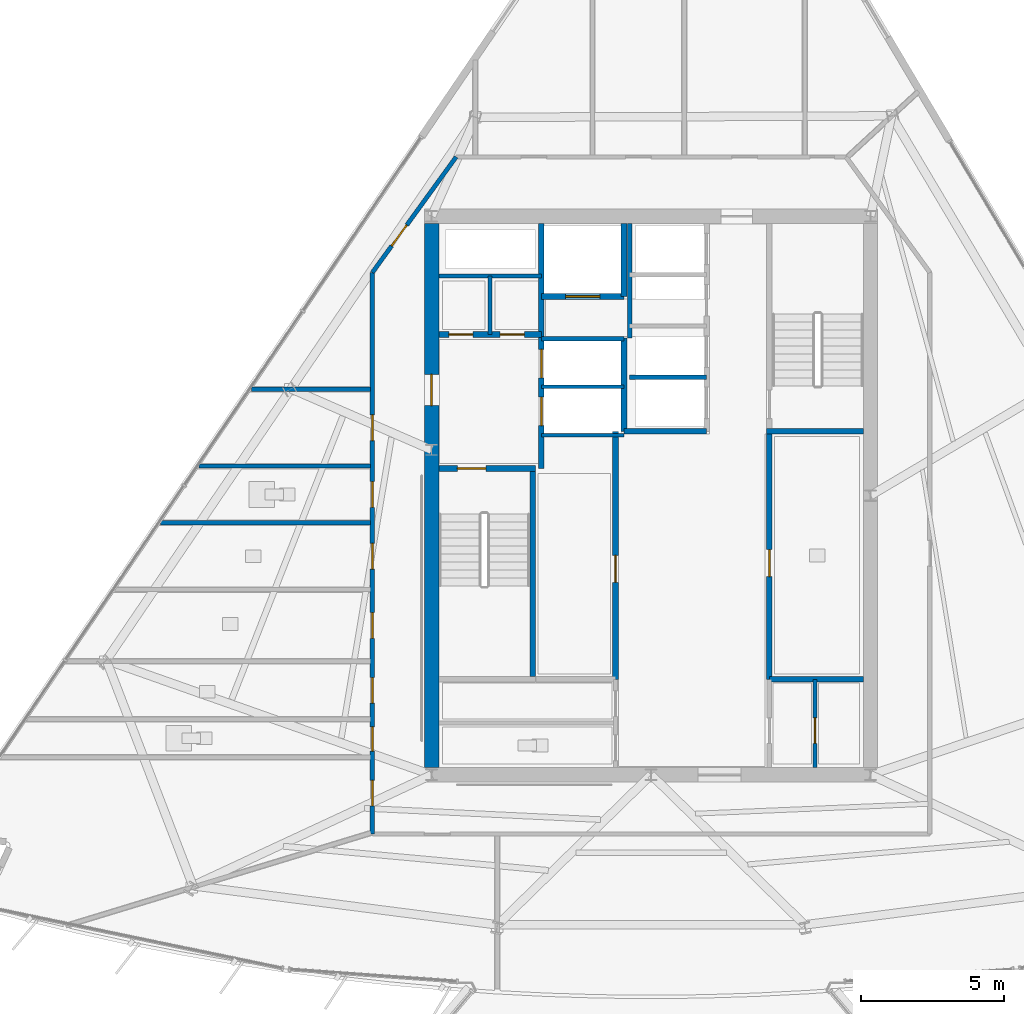
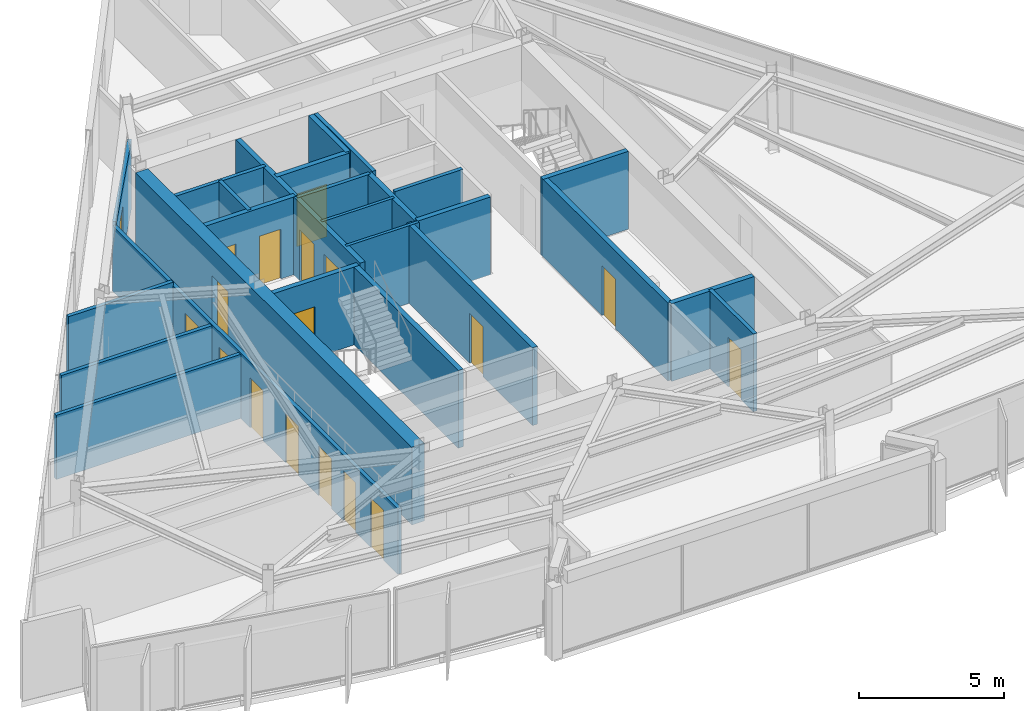
# One storey, part 8 of 14: 26 walls, 18 doors, 18 openings.
"""IFC4 building model written with IfcOpenShell, lengths in metres."""

from ifc_helpers import new_model, si_unit, direction, frame, frame_2d, origin, place, context, subcontext, project, spatial, rectangle, extrude, material, layer, layer_set, type_object, element, fill, save


model = new_model("IFC4")

# Units and contexts
model_context = context("Model", 3, precision=1e-05, world=origin(), true_north=direction((0.0, 1.0)))
body_context = subcontext(model_context, "Body", "Model", "MODEL_VIEW")
ifc_project = project(units=[si_unit("LENGTHUNIT", "METRE"), si_unit("AREAUNIT", "SQUARE_METRE"), si_unit("VOLUMEUNIT", "CUBIC_METRE"), si_unit("PLANEANGLEUNIT", "RADIAN"), si_unit("MASSUNIT", "GRAM", prefix="KILO")], contexts=[model_context])

# Site, building, storey
site_placement = place(None, origin())
site = spatial("IfcSite", under=ifc_project, at=site_placement, CompositionType="ELEMENT")
building_placement = place(site_placement, origin())
building = spatial("IfcBuilding", under=site, at=building_placement, Name="Savorim Split Tower", CompositionType="ELEMENT")
storey_placement = place(building_placement, frame((0.0, 0.0, 237.89990234375)))
storey = spatial("IfcBuildingStorey", under=building, at=storey_placement, Name="L63", CompositionType="ELEMENT", Elevation=237.89990234375)

# Wall, opening, door
ifc_material_1 = material(Name="Concrete C60/75", Category="concrete")
ifc_layer_1 = layer(ifc_material_1, 0.5)
ifc_layer_set_1 = layer_set([ifc_layer_1], Name="WAL-COR-SH500")
wall_type_1 = type_object("IfcWallType", Name="WAL-COR-SH500", PredefinedType="SHEAR", material=ifc_layer_set_1)
wall_1_placement = place(storey_placement, frame((-7.699951171875, -9.14990234375, 0.0), z_axis=(0.0, 0.0, 1.0), x_axis=(0.0, 1.0, 0.0)))
wall_1 = element("IfcWall", 1, at=wall_1_placement, inside=storey, type_object=wall_type_1, Name="L63 Offset Core West Shear Wall", PredefinedType="SHEAR", context=body_context, shape_type="SweptSolid", body=[
    extrude(rectangle(XDim=19.099853515625, YDim=0.5, at=frame_2d((9.5498046875, 0.0))), origin(), (0.0, 0.0, 1.0), 3.280029296875),
])
opening_1_placement = place(wall_1_placement, frame((12.699951171875, 0.0, 0.0)))
opening_1 = element("IfcOpeningElement", 2, at=opening_1_placement, cuts=wall_1, Name="Opening DI-03", PredefinedType="OPENING", context=body_context, shape_type="SweptSolid", body=[
    extrude(rectangle(XDim=1.10009765625, YDim=2.14990234375, at=frame_2d((0.550048828125, 1.074951171875))), frame((0.0, 0.260009765625, 0.0), z_axis=(0.0, -1.0, 0.0), x_axis=(1.0, 0.0, 0.0)), (0.0, 0.0, 1.0), 0.52001953125),
])
ifc_material_2 = material(Name="Timber Fire Door Leaf", Category="wood")
door_type_1 = type_object("IfcDoorType", Name="DOR-FIR-1100", OperationType="NOTDEFINED", PredefinedType="DOOR", material=ifc_material_2)
door_1_placement = place(opening_1_placement, origin())
door_1 = element("IfcDoor", 3, at=door_1_placement, inside=storey, type_object=door_type_1, Name="DOR-L63-COR-FFLOB - L63 Firefighting Lobby Corridor Door", OperationType="SINGLE_SWING_LEFT", OverallHeight=2.14990234375, OverallWidth=1.10009765625, PredefinedType="DOOR", context=body_context, shape_type="SweptSolid", body=[
    extrude(rectangle(XDim=1.10009765625, YDim=2.14990234375, at=frame_2d((0.550048828125, 1.074951171875))), frame((0.0, 0.02490234375, 0.0), z_axis=(0.0, -1.0, 0.0), x_axis=(1.0, 0.0, 0.0)), (0.0, 0.0, 1.0), 0.050048828125),
])
fill(opening_1, door_1)

ifc_material_3 = material(Name="Concrete C50/60", Category="concrete")
ifc_layer_2 = layer(ifc_material_3, 0.199951171875)
ifc_layer_set_2 = layer_set([ifc_layer_2], Name="WAL-INT-RC200")
wall_type_2 = type_object("IfcWallType", Name="WAL-INT-RC200", PredefinedType="SOLIDWALL", material=ifc_layer_set_2)
wall_2_placement = place(storey_placement, frame((-7.449951171875, 1.35009765625, 0.0), z_axis=(0.0, 0.0, 1.0), x_axis=(1.0, 0.0, 0.0)))
wall_2 = element("IfcWall", 4, at=wall_2_placement, inside=storey, type_object=wall_type_2, Name="L63 Structural Shaft Wall W-L63-CR01", PredefinedType="SOLIDWALL", context=body_context, shape_type="SweptSolid", body=[
    extrude(rectangle(XDim=3.39990234375, YDim=0.199951171875, at=frame_2d((1.699951171875, 0.0))), origin(), (0.0, 0.0, 1.0), 3.280029296875),
])
opening_2_placement = place(wall_2_placement, frame((0.64990234375, 0.0, 0.0)))
opening_2 = element("IfcOpeningElement", 5, at=opening_2_placement, cuts=wall_2, Name="Opening DI-04", PredefinedType="OPENING", context=body_context, shape_type="SweptSolid", body=[
    extrude(rectangle(XDim=1.0, YDim=2.14990234375, at=frame_2d((0.5, 1.074951171875))), frame((0.0, 0.10986328125, 0.0), z_axis=(0.0, -1.0, 0.0), x_axis=(1.0, 0.0, 0.0)), (0.0, 0.0, 1.0), 0.219970703125),
])
door_type_2 = type_object("IfcDoorType", Name="DOR-FIR-1000", OperationType="NOTDEFINED", PredefinedType="DOOR", material=ifc_material_2)
door_2_placement = place(opening_2_placement, origin())
door_2 = element("IfcDoor", 6, at=door_2_placement, inside=storey, type_object=door_type_2, Name="DR-L63-ST1 - L63 Stair ST-1 Enclosure Door", OperationType="SINGLE_SWING_LEFT", OverallHeight=2.14990234375, OverallWidth=1.0, PredefinedType="DOOR", context=body_context, shape_type="SweptSolid", body=[
    extrude(rectangle(XDim=1.0, YDim=2.14990234375, at=frame_2d((0.5, 1.074951171875))), frame((0.0, 0.02490234375, 0.0), z_axis=(0.0, -1.0, 0.0), x_axis=(1.0, 0.0, 0.0)), (0.0, 0.0, 1.0), 0.050048828125),
])
fill(opening_2, door_2)

# Wall
wall_3_placement = place(storey_placement, frame((-4.14990234375, -5.949951171875, 0.0), z_axis=(0.0, 0.0, 1.0), x_axis=(0.0, 1.0, 0.0)))
element("IfcWall", 7, at=wall_3_placement, inside=storey, type_object=wall_type_2, Name="L63 Structural Shaft Wall W-L63-CR02", PredefinedType="SOLIDWALL", context=body_context, shape_type="SweptSolid", body=[
    extrude(rectangle(XDim=7.199951171875, YDim=0.199951171875, at=frame_2d((3.60009765625, 0.0))), origin(), (0.0, 0.0, 1.0), 3.280029296875),
])

# Wall, openings, doors
wall_4_placement = place(storey_placement, frame((-3.85009765625, 1.35009765625, 0.0), z_axis=(0.0, 0.0, 1.0), x_axis=(0.0, 1.0, 0.0)))
wall_4 = element("IfcWall", 8, at=wall_4_placement, inside=storey, type_object=wall_type_2, Name="L63 Partition W-L63-CR03", PredefinedType="SOLIDWALL", context=body_context, shape_type="SweptSolid", body=[
    extrude(rectangle(XDim=8.594970703125, YDim=0.199951171875, at=frame_2d((4.29736328125, 0.0))), origin(), (0.0, 0.0, 1.0), 3.280029296875),
])
opening_3_placement = place(wall_4_placement, frame((1.5, 0.0, 0.0)))
opening_3 = element("IfcOpeningElement", 9, at=opening_3_placement, cuts=wall_4, Name="Opening LD-FFL", PredefinedType="OPENING", context=body_context, shape_type="SweptSolid", body=[
    extrude(rectangle(XDim=1.0, YDim=2.14990234375, at=frame_2d((0.5, 1.074951171875))), frame((0.0, 0.10986328125, 0.0), z_axis=(0.0, -1.0, 0.0), x_axis=(1.0, 0.0, 0.0)), (0.0, 0.0, 1.0), 0.219970703125),
])
opening_4_placement = place(wall_4_placement, frame((3.179931640625, 0.0, 0.0)))
opening_4 = element("IfcOpeningElement", 10, at=opening_4_placement, cuts=wall_4, Name="Opening LD-FFL", PredefinedType="OPENING", context=body_context, shape_type="SweptSolid", body=[
    extrude(rectangle(XDim=1.0, YDim=2.14990234375, at=frame_2d((0.5, 1.074951171875))), frame((0.0, 0.10986328125, 0.0), z_axis=(0.0, -1.0, 0.0), x_axis=(1.0, 0.0, 0.0)), (0.0, 0.0, 1.0), 0.219970703125),
])
ifc_material_4 = material(Name="Charcoal Anodised Aluminium", Category="aluminium")
door_type_3 = type_object("IfcDoorType", Name="DOR-SLD-LD1000", OperationType="NOTDEFINED", PredefinedType="DOOR", material=ifc_material_4)
door_3_placement = place(opening_3_placement, origin())
door_3 = element("IfcDoor", 11, at=door_3_placement, inside=storey, type_object=door_type_3, Name="DR-L63-LD-FFL1 - L63 Firefighting Lift FFL-1 Sliding Landing Door", OperationType="DOUBLE_DOOR_SLIDING", OverallHeight=2.14990234375, OverallWidth=1.0, PredefinedType="DOOR", context=body_context, shape_type="SweptSolid", body=[
    extrude(rectangle(XDim=1.0, YDim=2.14990234375, at=frame_2d((0.5, 1.074951171875))), frame((0.0, 0.02490234375, 0.0), z_axis=(0.0, -1.0, 0.0), x_axis=(1.0, 0.0, 0.0)), (0.0, 0.0, 1.0), 0.050048828125),
])
fill(opening_3, door_3)
door_4_placement = place(opening_4_placement, origin())
door_4 = element("IfcDoor", 12, at=door_4_placement, inside=storey, type_object=door_type_3, Name="DR-L63-LD-FFL2 - L63 Firefighting Lift FFL-2 Sliding Landing Door", OperationType="DOUBLE_DOOR_SLIDING", OverallHeight=2.14990234375, OverallWidth=1.0, PredefinedType="DOOR", context=body_context, shape_type="SweptSolid", body=[
    extrude(rectangle(XDim=1.0, YDim=2.14990234375, at=frame_2d((0.5, 1.074951171875))), frame((0.0, 0.02490234375, 0.0), z_axis=(0.0, -1.0, 0.0), x_axis=(1.0, 0.0, 0.0)), (0.0, 0.0, 1.0), 0.050048828125),
])
fill(opening_4, door_4)

wall_5_placement = place(storey_placement, frame((-7.445068359375, 6.050048828125, 0.0), z_axis=(0.0, 0.0, 1.0), x_axis=(1.0, 0.0, 0.0)))
wall_5 = element("IfcWall", 13, at=wall_5_placement, inside=storey, type_object=wall_type_2, Name="L63 Partition W-L63-CR04", PredefinedType="SOLIDWALL", context=body_context, shape_type="SweptSolid", body=[
    extrude(rectangle(XDim=3.594970703125, YDim=0.199951171875, at=frame_2d((1.79736328125, 0.0))), origin(), (0.0, 0.0, 1.0), 3.280029296875),
])
opening_5_placement = place(wall_5_placement, frame((0.344970703125, 0.0, 0.0)))
opening_5 = element("IfcOpeningElement", 14, at=opening_5_placement, cuts=wall_5, Name="Opening DI-12", PredefinedType="OPENING", context=body_context, shape_type="SweptSolid", body=[
    extrude(rectangle(XDim=0.85009765625, YDim=2.10009765625, at=frame_2d((0.425048828125, 1.050048828125))), frame((0.0, 0.10986328125, 0.0), z_axis=(0.0, -1.0, 0.0), x_axis=(1.0, 0.0, 0.0)), (0.0, 0.0, 1.0), 0.219970703125),
])
opening_6_placement = place(wall_5_placement, frame((2.14501953125, 0.0, 0.0)))
opening_6 = element("IfcOpeningElement", 15, at=opening_6_placement, cuts=wall_5, Name="Opening DI-12", PredefinedType="OPENING", context=body_context, shape_type="SweptSolid", body=[
    extrude(rectangle(XDim=0.85009765625, YDim=2.10009765625, at=frame_2d((0.425048828125, 1.050048828125))), frame((0.0, 0.10986328125, 0.0), z_axis=(0.0, -1.0, 0.0), x_axis=(1.0, 0.0, 0.0)), (0.0, 0.0, 1.0), 0.219970703125),
])
ifc_material_5 = material(Name="Galvanised Painted Steel Balustrade", Category="steel")
door_type_4 = type_object("IfcDoorType", Name="DOR-RIS-850", OperationType="NOTDEFINED", PredefinedType="DOOR", material=ifc_material_5)
door_5_placement = place(opening_5_placement, origin())
door_5 = element("IfcDoor", 16, at=door_5_placement, inside=storey, type_object=door_type_4, Name="DR-L63-ELR - L63 Electrical Riser Access Door", OperationType="SINGLE_SWING_RIGHT", OverallHeight=2.10009765625, OverallWidth=0.85009765625, PredefinedType="DOOR", context=body_context, shape_type="SweptSolid", body=[
    extrude(rectangle(XDim=0.85009765625, YDim=2.10009765625, at=frame_2d((0.425048828125, 1.050048828125))), frame((0.0, 0.02490234375, 0.0), z_axis=(0.0, -1.0, 0.0), x_axis=(1.0, 0.0, 0.0)), (0.0, 0.0, 1.0), 0.050048828125),
])
fill(opening_5, door_5)
door_6_placement = place(opening_6_placement, origin())
door_6 = element("IfcDoor", 17, at=door_6_placement, inside=storey, type_object=door_type_4, Name="DR-L63-TLR - L63 Telecom Riser Access Door", OperationType="SINGLE_SWING_LEFT", OverallHeight=2.10009765625, OverallWidth=0.85009765625, PredefinedType="DOOR", context=body_context, shape_type="SweptSolid", body=[
    extrude(rectangle(XDim=0.85009765625, YDim=2.10009765625, at=frame_2d((0.425048828125, 1.050048828125))), frame((0.0, 0.02490234375, 0.0), z_axis=(0.0, -1.0, 0.0), x_axis=(1.0, 0.0, 0.0)), (0.0, 0.0, 1.0), 0.050048828125),
])
fill(opening_6, door_6)

# Walls
wall_6_placement = place(storey_placement, frame((4.050048828125, 2.64990234375, 0.0), z_axis=(0.0, 0.0, 1.0), x_axis=(1.0, 0.0, 0.0)))
element("IfcWall", 18, at=wall_6_placement, inside=storey, type_object=wall_type_2, Name="L63 Structural Shaft Wall W-L63-CR08", PredefinedType="SOLIDWALL", context=body_context, shape_type="SweptSolid", body=[
    extrude(rectangle(XDim=3.39990234375, YDim=0.199951171875, at=frame_2d((1.699951171875, 0.0))), origin(), (0.0, 0.0, 1.0), 3.280029296875),
])
wall_7_placement = place(storey_placement, frame((-0.949951171875, 2.64990234375, 0.0), z_axis=(0.0, 0.0, 1.0), x_axis=(0.0, 1.0, 0.0)))
element("IfcWall", 19, at=wall_7_placement, inside=storey, type_object=wall_type_2, Name="L63 Partition W-L63-FFLW", PredefinedType="SOLIDWALL", context=body_context, shape_type="SweptSolid", body=[
    extrude(rectangle(XDim=3.27001953125, YDim=0.199951171875, at=frame_2d((1.635009765625, 0.0))), origin(), (0.0, 0.0, 1.0), 3.280029296875),
])

# Wall, opening, door
wall_8_placement = place(storey_placement, frame((-3.85009765625, 7.3798828125, 0.0), z_axis=(0.0, 0.0, 1.0), x_axis=(1.0, 0.0, 0.0)))
wall_8 = element("IfcWall", 20, at=wall_8_placement, inside=storey, type_object=wall_type_2, Name="L63 Partition W-L63-SVLS", PredefinedType="SOLIDWALL", context=body_context, shape_type="SweptSolid", body=[
    extrude(rectangle(XDim=2.900146484375, YDim=0.199951171875, at=frame_2d((1.4501953125, 0.0))), origin(), (0.0, 0.0, 1.0), 3.280029296875),
])
opening_7_placement = place(wall_8_placement, frame((0.85009765625, 0.0, 0.0)))
opening_7 = element("IfcOpeningElement", 21, at=opening_7_placement, cuts=wall_8, Name="Opening LD-SV", PredefinedType="OPENING", context=body_context, shape_type="SweptSolid", body=[
    extrude(rectangle(XDim=1.199951171875, YDim=2.199951171875, at=frame_2d((0.60009765625, 1.10009765625))), frame((0.0, 0.10986328125, 0.0), z_axis=(0.0, -1.0, 0.0), x_axis=(1.0, 0.0, 0.0)), (0.0, 0.0, 1.0), 0.219970703125),
])
door_type_5 = type_object("IfcDoorType", Name="DOR-SLD-SV1200", OperationType="NOTDEFINED", PredefinedType="DOOR", material=ifc_material_4)
door_7_placement = place(opening_7_placement, origin())
door_7 = element("IfcDoor", 22, at=door_7_placement, inside=storey, type_object=door_type_5, Name="DR-L63-LD-SVL1 - L63 Service Lift SVL-1 Sliding Landing Door", OperationType="DOUBLE_DOOR_SLIDING", OverallHeight=2.199951171875, OverallWidth=1.199951171875, PredefinedType="DOOR", context=body_context, shape_type="SweptSolid", body=[
    extrude(rectangle(XDim=1.199951171875, YDim=2.199951171875, at=frame_2d((0.60009765625, 1.10009765625))), frame((0.0, 0.02490234375, 0.0), z_axis=(0.0, -1.0, 0.0), x_axis=(1.0, 0.0, 0.0)), (0.0, 0.0, 1.0), 0.050048828125),
])
fill(opening_7, door_7)

# Wall
wall_9_placement = place(storey_placement, frame((-0.949951171875, 7.3798828125, 0.0), z_axis=(0.0, 0.0, 1.0), x_axis=(0.0, 1.0, 0.0)))
element("IfcWall", 23, at=wall_9_placement, inside=storey, type_object=wall_type_2, Name="L63 Partition W-L63-SVLE", PredefinedType="SOLIDWALL", context=body_context, shape_type="SweptSolid", body=[
    extrude(rectangle(XDim=2.565185546875, YDim=0.199951171875, at=frame_2d((1.28271484375, 0.0))), origin(), (0.0, 0.0, 1.0), 3.280029296875),
])

# Wall, opening, door
wall_10_placement = place(storey_placement, frame((4.14990234375, -6.050048828125, 0.0), z_axis=(0.0, 0.0, 1.0), x_axis=(0.0, 1.0, 0.0)))
wall_10 = element("IfcWall", 24, at=wall_10_placement, inside=storey, type_object=wall_type_2, Name="L63 Partition W-L63-B1FRONT", PredefinedType="SOLIDWALL", context=body_context, shape_type="SweptSolid", body=[
    extrude(rectangle(XDim=8.699951171875, YDim=0.199951171875, at=frame_2d((4.35009765625, 0.0))), origin(), (0.0, 0.0, 1.0), 3.280029296875),
])
opening_8_placement = place(wall_10_placement, frame((3.60009765625, 0.0, 0.0)))
opening_8 = element("IfcOpeningElement", 25, at=opening_8_placement, cuts=wall_10, Name="Opening DI-05", PredefinedType="OPENING", context=body_context, shape_type="SweptSolid", body=[
    extrude(rectangle(XDim=0.949951171875, YDim=2.10009765625, at=frame_2d((0.47509765625, 1.050048828125))), frame((0.0, 0.10986328125, 0.0), z_axis=(0.0, -1.0, 0.0), x_axis=(1.0, 0.0, 0.0)), (0.0, 0.0, 1.0), 0.219970703125),
])
door_type_6 = type_object("IfcDoorType", Name="DOR-FIR-950", OperationType="NOTDEFINED", PredefinedType="DOOR", material=ifc_material_2)
door_8_placement = place(opening_8_placement, origin())
door_8 = element("IfcDoor", 26, at=door_8_placement, inside=storey, type_object=door_type_6, Name="DR-L63-LV7B1 - L63 Community Laundry Room Door", OperationType="SINGLE_SWING_RIGHT", OverallHeight=2.10009765625, OverallWidth=0.949951171875, PredefinedType="DOOR", context=body_context, shape_type="SweptSolid", body=[
    extrude(rectangle(XDim=0.949951171875, YDim=2.10009765625, at=frame_2d((0.47509765625, 1.050048828125))), frame((0.0, 0.02490234375, 0.0), z_axis=(0.0, -1.0, 0.0), x_axis=(1.0, 0.0, 0.0)), (0.0, 0.0, 1.0), 0.050048828125),
])
fill(opening_8, door_8)

wall_11_placement = place(storey_placement, frame((-1.25, -6.050048828125, 0.0), z_axis=(0.0, 0.0, 1.0), x_axis=(0.0, 1.0, 0.0)))
wall_11 = element("IfcWall", 27, at=wall_11_placement, inside=storey, type_object=wall_type_2, Name="L63 Partition W-L63-B2FRONT", PredefinedType="SOLIDWALL", context=body_context, shape_type="SweptSolid", body=[
    extrude(rectangle(XDim=8.699951171875, YDim=0.199951171875, at=frame_2d((4.35009765625, 0.0))), origin(), (0.0, 0.0, 1.0), 3.280029296875),
])
opening_9_placement = place(wall_11_placement, frame((3.39990234375, 0.0, 0.0)))
opening_9 = element("IfcOpeningElement", 28, at=opening_9_placement, cuts=wall_11, Name="Opening DI-05", PredefinedType="OPENING", context=body_context, shape_type="SweptSolid", body=[
    extrude(rectangle(XDim=0.949951171875, YDim=2.10009765625, at=frame_2d((0.47509765625, 1.050048828125))), frame((0.0, 0.10986328125, 0.0), z_axis=(0.0, -1.0, 0.0), x_axis=(1.0, 0.0, 0.0)), (0.0, 0.0, 1.0), 0.219970703125),
])
door_9_placement = place(opening_9_placement, origin())
door_9 = element("IfcDoor", 29, at=door_9_placement, inside=storey, type_object=door_type_6, Name="DR-L63-LV7B2 - L63 Quiet Study Room Door", OperationType="SINGLE_SWING_LEFT", OverallHeight=2.10009765625, OverallWidth=0.949951171875, PredefinedType="DOOR", context=body_context, shape_type="SweptSolid", body=[
    extrude(rectangle(XDim=0.949951171875, YDim=2.10009765625, at=frame_2d((0.47509765625, 1.050048828125))), frame((0.0, 0.02490234375, 0.0), z_axis=(0.0, -1.0, 0.0), x_axis=(1.0, 0.0, 0.0)), (0.0, 0.0, 1.0), 0.050048828125),
])
fill(opening_9, door_9)

# Walls
wall_12_placement = place(storey_placement, frame((-0.949951171875, 2.64990234375, 0.0), z_axis=(0.0, 0.0, 1.0), x_axis=(1.0, 0.0, 0.0)))
element("IfcWall", 30, at=wall_12_placement, inside=storey, type_object=wall_type_2, Name="L63 Partition W-L63-B3SOUTH", PredefinedType="SOLIDWALL", context=body_context, shape_type="SweptSolid", body=[
    extrude(rectangle(XDim=2.89990234375, YDim=0.199951171875, at=frame_2d((1.449951171875, 0.0))), origin(), (0.0, 0.0, 1.0), 3.280029296875),
])
wall_13_placement = place(storey_placement, frame((4.14990234375, -6.050048828125, 0.0), z_axis=(0.0, 0.0, 1.0), x_axis=(1.0, 0.0, 0.0)))
element("IfcWall", 31, at=wall_13_placement, inside=storey, type_object=wall_type_2, Name="L63 Partition W-L63-KSEP-E", PredefinedType="SOLIDWALL", context=body_context, shape_type="SweptSolid", body=[
    extrude(rectangle(XDim=3.295166015625, YDim=0.199951171875, at=frame_2d((1.6474609375, 0.0))), origin(), (0.0, 0.0, 1.0), 3.280029296875),
])
ifc_material_6 = material(Name="Acoustic Gypsum Partition Board")
ifc_layer_3 = layer(ifc_material_6, 0.1201171875)
ifc_layer_set_3 = layer_set([ifc_layer_3], Name="WAL-PAR-120")
wall_type_3 = type_object("IfcWallType", Name="WAL-PAR-120", PredefinedType="PARTITIONING", material=ifc_layer_set_3)
for number, where, z_axis, x_axis, name in (
    (32, (-3.85009765625, 2.52001953125, 0.0), (0.0, 0.0, 1.0), (1.0, 0.0, 0.0), "L63 Partition W-L63-FFLD0"),
    (33, (-3.85009765625, 4.219970703125, 0.0), (0.0, 0.0, 1.0), (1.0, 0.0, 0.0), "L63 Partition W-L63-FFLD1"),
):
    element("IfcWall", number, at=place(storey_placement, frame(where, z_axis=z_axis, x_axis=x_axis)), inside=storey, type_object=wall_type_3, Name=name, PredefinedType="PARTITIONING", context=body_context, shape_type="SweptSolid", body=[
        extrude(rectangle(XDim=2.900146484375, YDim=0.1201171875, at=frame_2d((1.4501953125, 0.0))), origin(), (0.0, 0.0, 1.0), 3.280029296875),
    ])
ifc_layer_4 = layer(ifc_material_6, 0.14990234375)
ifc_layer_set_4 = layer_set([ifc_layer_4], Name="WAL-PAR-150")
wall_type_4 = type_object("IfcWallType", Name="WAL-PAR-150", PredefinedType="PARTITIONING", material=ifc_layer_set_4)
wall_14_placement = place(storey_placement, frame((-7.445068359375, 8.10009765625, 0.0), z_axis=(0.0, 0.0, 1.0), x_axis=(1.0, 0.0, 0.0)))
element("IfcWall", 34, at=wall_14_placement, inside=storey, type_object=wall_type_4, Name="L63 Partition W-L63-CR05", PredefinedType="PARTITIONING", context=body_context, shape_type="SweptSolid", body=[
    extrude(rectangle(XDim=3.594970703125, YDim=0.14990234375, at=frame_2d((1.79736328125, 0.0))), origin(), (0.0, 0.0, 1.0), 3.280029296875),
])
wall_15_placement = place(storey_placement, frame((-5.64990234375, 6.050048828125, 0.0), z_axis=(0.0, 0.0, 1.0), x_axis=(0.0, 1.0, 0.0)))
element("IfcWall", 35, at=wall_15_placement, inside=storey, type_object=wall_type_4, Name="L63 Partition W-L63-CR06", PredefinedType="PARTITIONING", context=body_context, shape_type="SweptSolid", body=[
    extrude(rectangle(XDim=2.050048828125, YDim=0.14990234375, at=frame_2d((1.02490234375, 0.0))), origin(), (0.0, 0.0, 1.0), 3.280029296875),
])
wall_16_placement = place(storey_placement, frame((-3.85009765625, 5.89990234375, 0.0), z_axis=(0.0, 0.0, 1.0), x_axis=(1.0, 0.0, 0.0)))
element("IfcWall", 36, at=wall_16_placement, inside=storey, type_object=wall_type_4, Name="L63 Partition W-L63-FFLD2", PredefinedType="PARTITIONING", context=body_context, shape_type="SweptSolid", body=[
    extrude(rectangle(XDim=2.900146484375, YDim=0.14990234375, at=frame_2d((1.4501953125, 0.0))), origin(), (0.0, 0.0, 1.0), 3.280029296875),
])
wall_17_placement = place(storey_placement, frame((-0.75, 5.919921875, 0.0), z_axis=(0.0, 0.0, 1.0), x_axis=(0.0, 1.0, 0.0)))
element("IfcWall", 37, at=wall_17_placement, inside=storey, type_object=wall_type_4, Name="L63 Partition W-L63-B3WEST", PredefinedType="PARTITIONING", context=body_context, shape_type="SweptSolid", body=[
    extrude(rectangle(XDim=4.025146484375, YDim=0.14990234375, at=frame_2d((2.0126953125, 0.0))), origin(), (0.0, 0.0, 1.0), 3.280029296875),
])
wall_18_placement = place(storey_placement, frame((-0.75, 4.550048828125, 0.0), z_axis=(0.0, 0.0, 1.0), x_axis=(1.0, 0.0, 0.0)))
element("IfcWall", 38, at=wall_18_placement, inside=storey, type_object=wall_type_4, Name="L63 Partition W-L63-B3DIV1", PredefinedType="PARTITIONING", context=body_context, shape_type="SweptSolid", body=[
    extrude(rectangle(XDim=2.699951171875, YDim=0.14990234375, at=frame_2d((1.35009765625, 0.0))), origin(), (0.0, 0.0, 1.0), 3.280029296875),
])

# Wall, opening, door
wall_19_placement = place(storey_placement, frame((5.75, -9.14501953125, 0.0), z_axis=(0.0, 0.0, 1.0), x_axis=(0.0, 1.0, 0.0)))
wall_19 = element("IfcWall", 39, at=wall_19_placement, inside=storey, type_object=wall_type_4, Name="L63 Partition W-L63-K2E", PredefinedType="PARTITIONING", context=body_context, shape_type="SweptSolid", body=[
    extrude(rectangle(XDim=3.094970703125, YDim=0.14990234375, at=frame_2d((1.54736328125, 0.0))), origin(), (0.0, 0.0, 1.0), 3.280029296875),
])
opening_10_placement = place(wall_19_placement, frame((0.844970703125, 0.0, 0.0)))
opening_10 = element("IfcOpeningElement", 40, at=opening_10_placement, cuts=wall_19, Name="Opening DI-06", PredefinedType="OPENING", context=body_context, shape_type="SweptSolid", body=[
    extrude(rectangle(XDim=0.89990234375, YDim=2.10009765625, at=frame_2d((0.449951171875, 1.050048828125))), frame((0.0, 0.0849609375, 0.0), z_axis=(0.0, -1.0, 0.0), x_axis=(1.0, 0.0, 0.0)), (0.0, 0.0, 1.0), 0.169921875),
])
door_type_7 = type_object("IfcDoorType", Name="DOR-FIR-900", OperationType="NOTDEFINED", PredefinedType="DOOR", material=ifc_material_2)
door_10_placement = place(opening_10_placement, origin())
door_10 = element("IfcDoor", 41, at=door_10_placement, inside=storey, type_object=door_type_7, Name="DR-L63-K2REF - L63 Recycling Room Door", OperationType="SINGLE_SWING_RIGHT", OverallHeight=2.10009765625, OverallWidth=0.89990234375, PredefinedType="DOOR", context=body_context, shape_type="SweptSolid", body=[
    extrude(rectangle(XDim=0.89990234375, YDim=2.10009765625, at=frame_2d((0.449951171875, 1.050048828125))), frame((0.0, 0.02490234375, 0.0), z_axis=(0.0, -1.0, 0.0), x_axis=(1.0, 0.0, 0.0)), (0.0, 0.0, 1.0), 0.050048828125),
])
fill(opening_10, door_10)

# Wall, openings, doors
wall_20_placement = place(storey_placement, frame((-9.780029296875, -11.47998046875, 0.0), z_axis=(0.0, 0.0, 1.0), x_axis=(0.0, 1.0, 0.0)))
wall_20 = element("IfcWall", 42, at=wall_20_placement, inside=storey, type_object=wall_type_4, Name="L63 Partition W-L63-COR-01", PredefinedType="PARTITIONING", context=body_context, shape_type="SweptSolid", body=[
    extrude(rectangle(XDim=19.705810546875, YDim=0.14990234375, at=frame_2d((9.85302734375, 0.0))), origin(), (0.0, 0.0, 1.0), 2.755126953125),
])
opening_11_placement = place(wall_20_placement, frame((9.30126953125, 0.0, 0.0)))
opening_11 = element("IfcOpeningElement", 43, at=opening_11_placement, cuts=wall_20, Name="Opening DI-06", PredefinedType="OPENING", context=body_context, shape_type="SweptSolid", body=[
    extrude(rectangle(XDim=0.89990234375, YDim=2.10009765625, at=frame_2d((0.449951171875, 1.050048828125))), frame((0.0, 0.0849609375, 0.0), z_axis=(0.0, -1.0, 0.0), x_axis=(1.0, 0.0, 0.0)), (0.0, 0.0, 1.0), 0.169921875),
])
opening_12_placement = place(wall_20_placement, frame((6.87060546875, 0.0, 0.0)))
opening_12 = element("IfcOpeningElement", 44, at=opening_12_placement, cuts=wall_20, Name="Opening DI-06", PredefinedType="OPENING", context=body_context, shape_type="SweptSolid", body=[
    extrude(rectangle(XDim=0.89990234375, YDim=2.10009765625, at=frame_2d((0.449951171875, 1.050048828125))), frame((0.0, 0.0849609375, 0.0), z_axis=(0.0, -1.0, 0.0), x_axis=(1.0, 0.0, 0.0)), (0.0, 0.0, 1.0), 0.169921875),
])
opening_13_placement = place(wall_20_placement, frame((4.593994140625, 0.0, 0.0)))
opening_13 = element("IfcOpeningElement", 45, at=opening_13_placement, cuts=wall_20, Name="Opening DI-06", PredefinedType="OPENING", context=body_context, shape_type="SweptSolid", body=[
    extrude(rectangle(XDim=0.89990234375, YDim=2.10009765625, at=frame_2d((0.449951171875, 1.050048828125))), frame((0.0, 0.0849609375, 0.0), z_axis=(0.0, -1.0, 0.0), x_axis=(1.0, 0.0, 0.0)), (0.0, 0.0, 1.0), 0.169921875),
])
opening_14_placement = place(wall_20_placement, frame((2.91259765625, 0.0, 0.0)))
opening_14 = element("IfcOpeningElement", 46, at=opening_14_placement, cuts=wall_20, Name="Opening DI-13", PredefinedType="OPENING", context=body_context, shape_type="SweptSolid", body=[
    extrude(rectangle(XDim=0.85009765625, YDim=2.10009765625, at=frame_2d((0.425048828125, 1.050048828125))), frame((0.0, 0.0849609375, 0.0), z_axis=(0.0, -1.0, 0.0), x_axis=(1.0, 0.0, 0.0)), (0.0, 0.0, 1.0), 0.169921875),
])
opening_15_placement = place(wall_20_placement, frame((0.98828125, 0.0, 0.0)))
opening_15 = element("IfcOpeningElement", 47, at=opening_15_placement, cuts=wall_20, Name="Opening DI-06", PredefinedType="OPENING", context=body_context, shape_type="SweptSolid", body=[
    extrude(rectangle(XDim=0.89990234375, YDim=2.10009765625, at=frame_2d((0.449951171875, 1.050048828125))), frame((0.0, 0.0849609375, 0.0), z_axis=(0.0, -1.0, 0.0), x_axis=(1.0, 0.0, 0.0)), (0.0, 0.0, 1.0), 0.169921875),
])
opening_16_placement = place(wall_20_placement, frame((13.810302734375, 0.0, 0.0)))
opening_16 = element("IfcOpeningElement", 48, at=opening_16_placement, cuts=wall_20, Name="Opening DI-06", PredefinedType="OPENING", context=body_context, shape_type="SweptSolid", body=[
    extrude(rectangle(XDim=0.89990234375, YDim=2.10009765625, at=frame_2d((0.449951171875, 1.050048828125))), frame((0.0, 0.0849609375, 0.0), z_axis=(0.0, -1.0, 0.0), x_axis=(1.0, 0.0, 0.0)), (0.0, 0.0, 1.0), 0.169921875),
])
opening_17_placement = place(wall_20_placement, frame((11.467529296875, 0.0, 0.0)))
opening_17 = element("IfcOpeningElement", 49, at=opening_17_placement, cuts=wall_20, Name="Opening DI-11", PredefinedType="OPENING", context=body_context, shape_type="SweptSolid", body=[
    extrude(rectangle(XDim=0.89990234375, YDim=2.10009765625, at=frame_2d((0.449951171875, 1.050048828125))), frame((0.0, 0.0849609375, 0.0), z_axis=(0.0, -1.0, 0.0), x_axis=(1.0, 0.0, 0.0)), (0.0, 0.0, 1.0), 0.169921875),
])
door_type_8 = type_object("IfcDoorType", Name="DOR-FIR-850", OperationType="NOTDEFINED", PredefinedType="DOOR", material=ifc_material_2)
door_11_placement = place(opening_14_placement, origin())
door_11 = element("IfcDoor", 50, at=door_11_placement, inside=storey, type_object=door_type_8, Name="DR-L63-RM04 - L63 Shared Bathroom Entry Door", OperationType="SINGLE_SWING_LEFT", OverallHeight=2.10009765625, OverallWidth=0.85009765625, PredefinedType="DOOR", context=body_context, shape_type="SweptSolid", body=[
    extrude(rectangle(XDim=0.85009765625, YDim=2.10009765625, at=frame_2d((0.425048828125, 1.050048828125))), frame((0.0, 0.02490234375, 0.0), z_axis=(0.0, -1.0, 0.0), x_axis=(1.0, 0.0, 0.0)), (0.0, 0.0, 1.0), 0.050048828125),
])
fill(opening_14, door_11)
door_12_placement = place(opening_11_placement, origin())
door_12 = element("IfcDoor", 51, at=door_12_placement, inside=storey, type_object=door_type_7, Name="DR-L63-RM01 - L63 Shared Kitchen Entry Door", OperationType="SINGLE_SWING_RIGHT", OverallHeight=2.10009765625, OverallWidth=0.89990234375, PredefinedType="DOOR", context=body_context, shape_type="SweptSolid", body=[
    extrude(rectangle(XDim=0.89990234375, YDim=2.10009765625, at=frame_2d((0.449951171875, 1.050048828125))), frame((0.0, 0.02490234375, 0.0), z_axis=(0.0, -1.0, 0.0), x_axis=(1.0, 0.0, 0.0)), (0.0, 0.0, 1.0), 0.050048828125),
])
fill(opening_11, door_12)
door_13_placement = place(opening_12_placement, origin())
door_13 = element("IfcDoor", 52, at=door_13_placement, inside=storey, type_object=door_type_7, Name="DR-L63-RM02 - L63 Community Laundry Room Entry Door", OperationType="SINGLE_SWING_LEFT", OverallHeight=2.10009765625, OverallWidth=0.89990234375, PredefinedType="DOOR", context=body_context, shape_type="SweptSolid", body=[
    extrude(rectangle(XDim=0.89990234375, YDim=2.10009765625, at=frame_2d((0.449951171875, 1.050048828125))), frame((0.0, 0.02490234375, 0.0), z_axis=(0.0, -1.0, 0.0), x_axis=(1.0, 0.0, 0.0)), (0.0, 0.0, 1.0), 0.050048828125),
])
fill(opening_12, door_13)
door_14_placement = place(opening_13_placement, origin())
door_14 = element("IfcDoor", 53, at=door_14_placement, inside=storey, type_object=door_type_7, Name="DR-L63-RM03 - L63 Community Laundry Room Entry Door", OperationType="SINGLE_SWING_RIGHT", OverallHeight=2.10009765625, OverallWidth=0.89990234375, PredefinedType="DOOR", context=body_context, shape_type="SweptSolid", body=[
    extrude(rectangle(XDim=0.89990234375, YDim=2.10009765625, at=frame_2d((0.449951171875, 1.050048828125))), frame((0.0, 0.02490234375, 0.0), z_axis=(0.0, -1.0, 0.0), x_axis=(1.0, 0.0, 0.0)), (0.0, 0.0, 1.0), 0.050048828125),
])
fill(opening_13, door_14)
door_15_placement = place(opening_15_placement, origin())
door_15 = element("IfcDoor", 54, at=door_15_placement, inside=storey, type_object=door_type_7, Name="DR-L63-RM05 - L63 Co-Working Commons Entry Door", OperationType="SINGLE_SWING_RIGHT", OverallHeight=2.10009765625, OverallWidth=0.89990234375, PredefinedType="DOOR", context=body_context, shape_type="SweptSolid", body=[
    extrude(rectangle(XDim=0.89990234375, YDim=2.10009765625, at=frame_2d((0.449951171875, 1.050048828125))), frame((0.0, 0.02490234375, 0.0), z_axis=(0.0, -1.0, 0.0), x_axis=(1.0, 0.0, 0.0)), (0.0, 0.0, 1.0), 0.050048828125),
])
fill(opening_15, door_15)
door_16_placement = place(opening_16_placement, origin())
door_16 = element("IfcDoor", 55, at=door_16_placement, inside=storey, type_object=door_type_7, Name="DR-L63-RM13 - L63 Co-Living Bedroom Entry Door", OperationType="SINGLE_SWING_RIGHT", OverallHeight=2.10009765625, OverallWidth=0.89990234375, PredefinedType="DOOR", context=body_context, shape_type="SweptSolid", body=[
    extrude(rectangle(XDim=0.89990234375, YDim=2.10009765625, at=frame_2d((0.449951171875, 1.050048828125))), frame((0.0, 0.02490234375, 0.0), z_axis=(0.0, -1.0, 0.0), x_axis=(1.0, 0.0, 0.0)), (0.0, 0.0, 1.0), 0.050048828125),
])
fill(opening_16, door_16)
ifc_material_7 = material(Name="Oak Veneer Acoustic Door")
door_type_9 = type_object("IfcDoorType", Name="DOR-WC-900", OperationType="NOTDEFINED", PredefinedType="DOOR", material=ifc_material_7)
door_17_placement = place(opening_17_placement, origin())
door_17 = element("IfcDoor", 56, at=door_17_placement, inside=storey, type_object=door_type_9, Name="DR-L63-RM14 - L63 Shared Bathroom Entry Door", OperationType="SINGLE_SWING_LEFT", OverallHeight=2.10009765625, OverallWidth=0.89990234375, PredefinedType="DOOR", context=body_context, shape_type="SweptSolid", body=[
    extrude(rectangle(XDim=0.89990234375, YDim=2.10009765625, at=frame_2d((0.449951171875, 1.050048828125))), frame((0.0, 0.02490234375, 0.0), z_axis=(0.0, -1.0, 0.0), x_axis=(1.0, 0.0, 0.0)), (0.0, 0.0, 1.0), 0.050048828125),
])
fill(opening_17, door_17)

# Wall, opening, door
wall_21_placement = place(storey_placement, frame((-9.780029296875, 8.225830078125, 0.0), z_axis=(0.0, 0.0, 1.0), x_axis=(0.586956386413, 0.809618552436, 0.0)))
wall_21 = element("IfcWall", 57, at=wall_21_placement, inside=storey, type_object=wall_type_4, Name="L63 Partition W-L63-COR-02", PredefinedType="PARTITIONING", context=body_context, shape_type="SweptSolid", body=[
    extrude(rectangle(XDim=5.007568359375, YDim=0.14990234375, at=frame_2d((2.50390625, 0.0))), origin(), (0.0, 0.0, 1.0), 2.905029296875),
])
opening_18_placement = place(wall_21_placement, frame((1.15380859375, 0.0, 0.0)))
opening_18 = element("IfcOpeningElement", 58, at=opening_18_placement, cuts=wall_21, Name="Opening DI-06", PredefinedType="OPENING", context=body_context, shape_type="SweptSolid", body=[
    extrude(rectangle(XDim=0.89990234375, YDim=2.10009765625, at=frame_2d((0.449951171875, 1.050048828125))), frame((0.0, 0.0849609375, 0.0), z_axis=(0.0, -1.0, 0.0), x_axis=(1.0, 0.0, 0.0)), (0.0, 0.0, 1.0), 0.169921875),
])
door_18_placement = place(opening_18_placement, origin())
door_18 = element("IfcDoor", 59, at=door_18_placement, inside=storey, type_object=door_type_7, Name="DR-L63-RM12 - L63 Quiet Study Room Entry Door", OperationType="SINGLE_SWING_LEFT", OverallHeight=2.10009765625, OverallWidth=0.89990234375, PredefinedType="DOOR", context=body_context, shape_type="SweptSolid", body=[
    extrude(rectangle(XDim=0.89990234375, YDim=2.10009765625, at=frame_2d((0.449951171875, 1.050048828125))), frame((0.0, 0.02490234375, 0.0), z_axis=(0.0, -1.0, 0.0), x_axis=(1.0, 0.0, 0.0)), (0.0, 0.0, 1.0), 0.050048828125),
])
fill(opening_18, door_18)

# Walls
wall_22_placement = place(storey_placement, frame((-9.840087890625, 4.12841796875, 0.0), z_axis=(0.0, 0.0, 1.0), x_axis=(-1.0, 0.0, 0.0)))
element("IfcWall", 60, at=wall_22_placement, inside=storey, type_object=wall_type_4, Name="L63 Partition W-L63-PRAD09", PredefinedType="PARTITIONING", context=body_context, shape_type="SweptSolid", body=[
    extrude(rectangle(XDim=4.183837890625, YDim=0.14990234375, at=frame_2d((2.091796875, 0.0))), origin(), (0.0, 0.0, 1.0), 2.905029296875),
])
wall_23_placement = place(storey_placement, frame((-9.840087890625, -0.557373046875, 0.0), z_axis=(0.0, 0.0, 1.0), x_axis=(-1.0, 0.0, 0.0)))
element("IfcWall", 61, at=wall_23_placement, inside=storey, type_object=wall_type_4, Name="L63 Partition W-L63-SUB01", PredefinedType="PARTITIONING", context=body_context, shape_type="SweptSolid", body=[
    extrude(rectangle(XDim=7.37158203125, YDim=0.14990234375, at=frame_2d((3.685791015625, 0.0))), origin(), (0.0, 0.0, 1.0), 2.705078125),
])
wall_24_placement = place(storey_placement, frame((-9.840087890625, 1.432373046875, 0.0), z_axis=(0.0, 0.0, 1.0), x_axis=(-1.0, 0.0, 0.0)))
element("IfcWall", 62, at=wall_24_placement, inside=storey, type_object=wall_type_4, Name="L63 Partition W-L63-SUB08", PredefinedType="PARTITIONING", context=body_context, shape_type="SweptSolid", body=[
    extrude(rectangle(XDim=6.01806640625, YDim=0.14990234375, at=frame_2d((3.009033203125, 0.0))), origin(), (0.0, 0.0, 1.0), 2.705078125),
])

save(model, "model.ifc")
